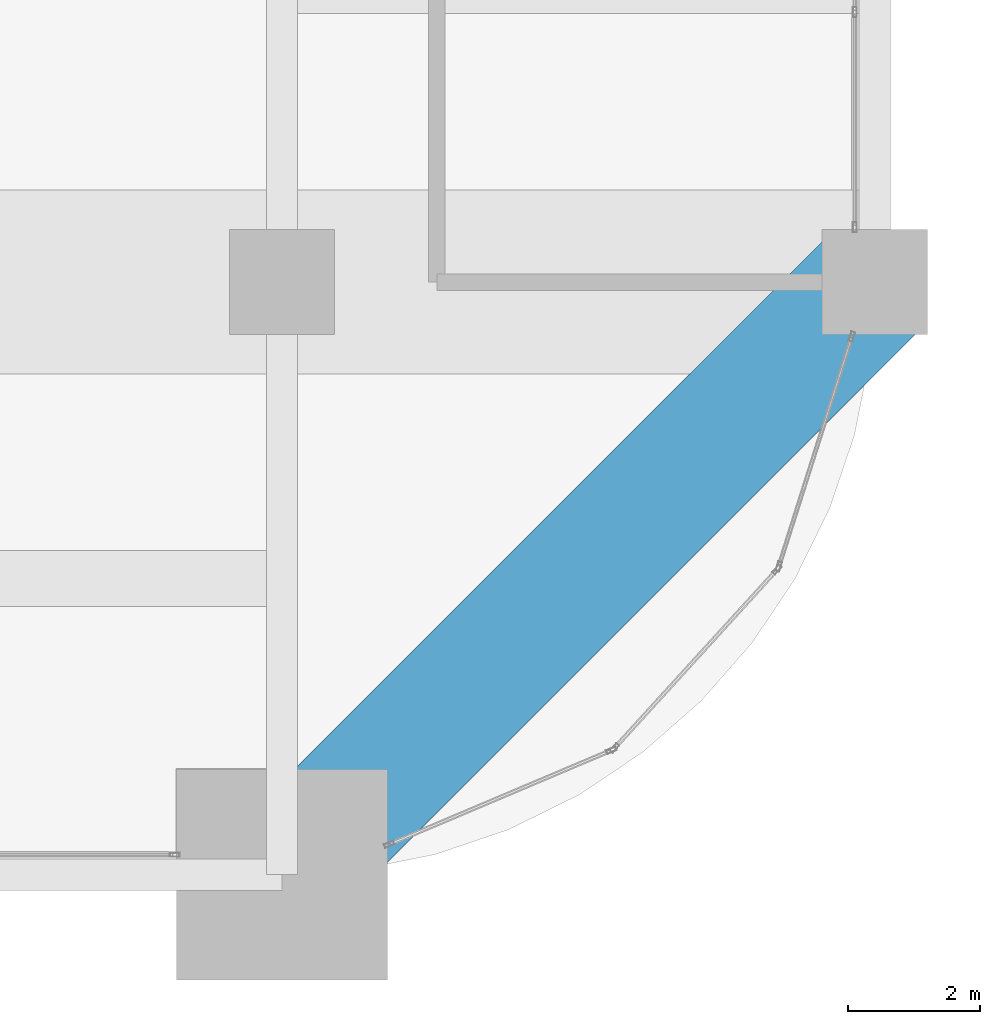
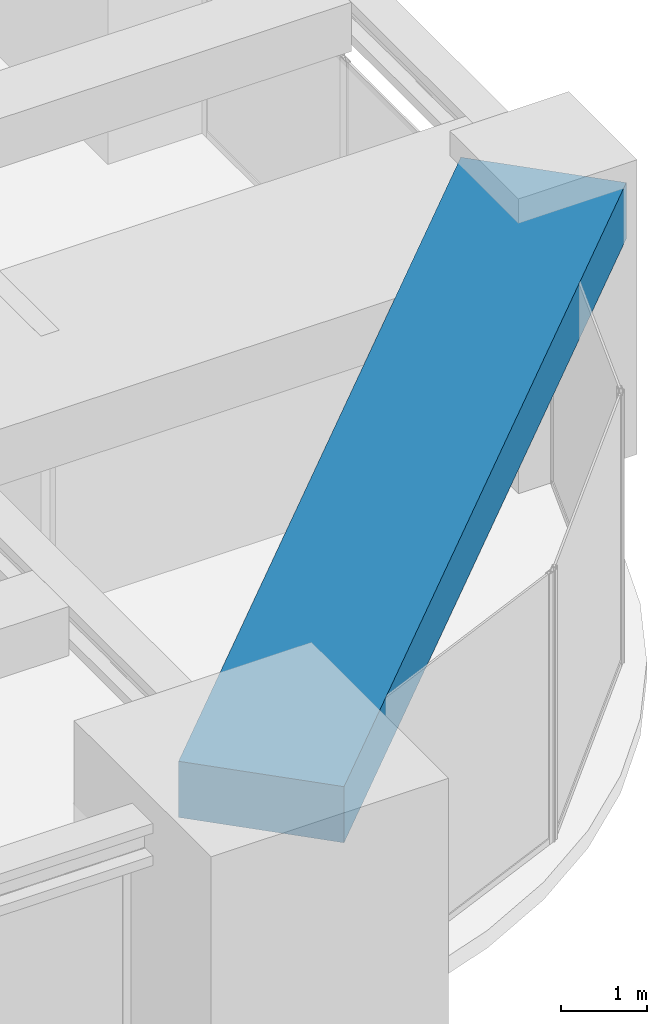
# One storey, part 18 of 39: 1 beam.
"""IFC4 building model written with IfcOpenShell, lengths in metres."""

from ifc_helpers import new_model, si_unit, direction, frame, origin, origin_2d, place, context, subcontext, project, spatial, rectangle, extrude, material, material_profile, profile_set, type_object, element, save


model = new_model("IFC4")

# Units and contexts
model_context = context("Model", 3, precision=1e-05, world=origin(), true_north=direction((0.0, 1.0)))
body_context = subcontext(model_context, "Body", "Model", "MODEL_VIEW")
ifc_project = project(units=[si_unit("LENGTHUNIT", "METRE"), si_unit("AREAUNIT", "SQUARE_METRE"), si_unit("VOLUMEUNIT", "CUBIC_METRE"), si_unit("PLANEANGLEUNIT", "RADIAN"), si_unit("MASSUNIT", "GRAM", prefix="KILO")], contexts=[model_context])

# Site, building, storey
site_placement = place(None, origin())
site = spatial("IfcSite", under=ifc_project, at=site_placement, CompositionType="ELEMENT")
building_placement = place(site_placement, origin())
building = spatial("IfcBuilding", under=site, at=building_placement, Name="Zorevar Civic Tower", CompositionType="ELEMENT")
storey_placement = place(building_placement, frame((0.0, 0.0, 230.199951171875)))
storey = spatial("IfcBuildingStorey", under=building, at=storey_placement, Name="L56", CompositionType="ELEMENT", Elevation=230.199951171875)

# Beam
ifc_material = material(Name="Concrete C50/60", Category="concrete")
ifc_material_profile = material_profile(ifc_material, rectangle(XDim=2.0, YDim=0.800048828125, at=origin_2d()), Name="RC 2000x800")
ifc_profile_set = profile_set([ifc_material_profile], Name="Concrete C50/60")
beam_type = type_object("IfcBeamType", Name="Edge beam RC 2000x800", PredefinedType="SPANDREL", material=ifc_profile_set)
beam_placement = place(storey_placement, frame((45.0, 0.0, 3.449951171875), z_axis=(0.707106781187, 0.707106781187, 0.0), x_axis=(-0.707106781187, 0.707106781187, 0.0)))
element("IfcBeam", 1, at=beam_placement, inside=storey, type_object=beam_type, Name="Corner edge beam L57", PredefinedType="SPANDREL", context=body_context, shape_type="SweptSolid", body=[
    extrude(rectangle(XDim=2.0, YDim=0.800048828125, at=origin_2d()), origin(), (0.0, 0.0, 1.0), 12.72802734375),
])

save(model, "model.ifc")
